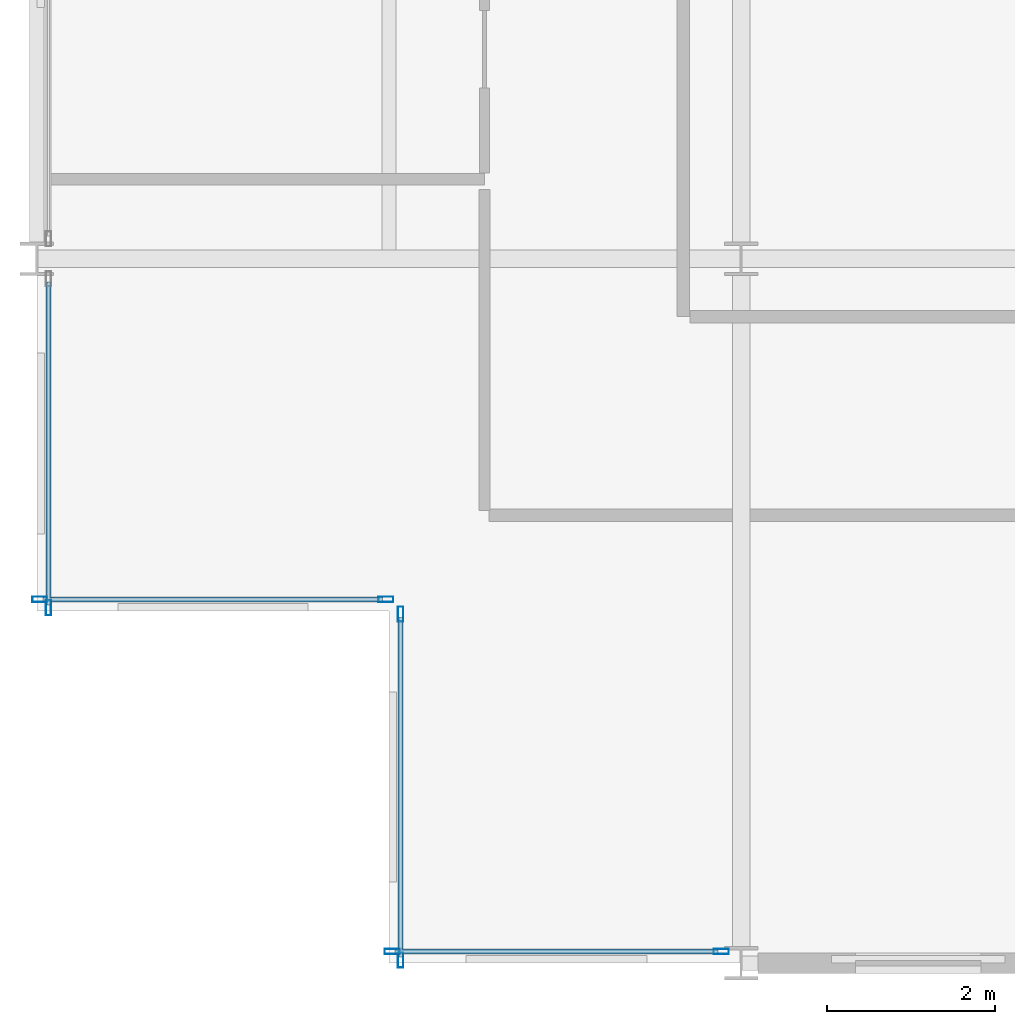
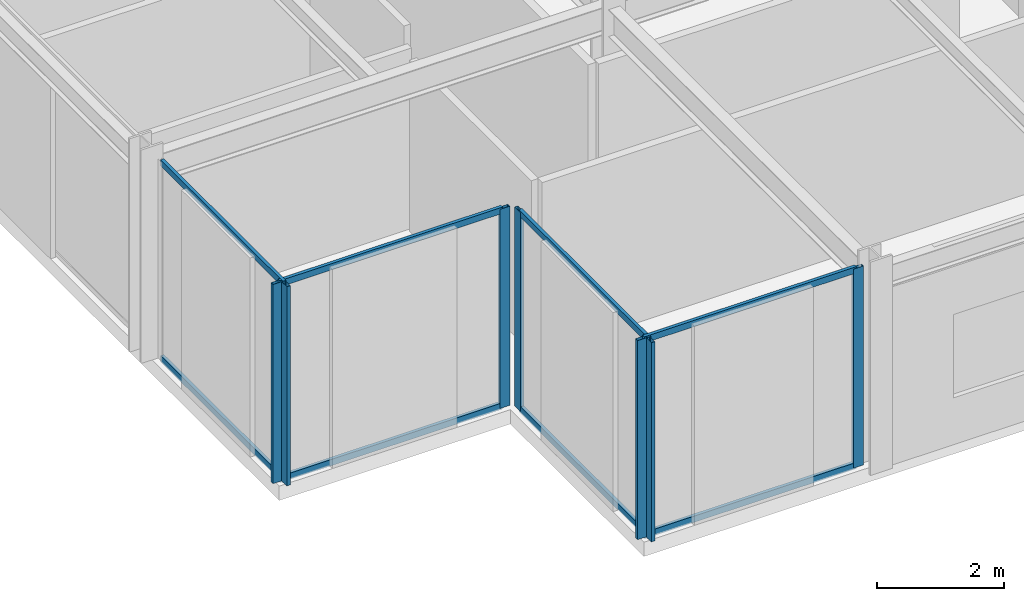
# One storey, part 2 of 29: 15 members, 4 elements without a shape of their own.
"""IFC4 building model written with IfcOpenShell, lengths in metres."""

from ifc_helpers import new_model, si_unit, direction, frame, origin, origin_2d, place, context, subcontext, project, spatial, hollow_rectangle, extrude, material, layer, layer_set, material_profile, profile_set, type_object, element, aggregate, save


model = new_model("IFC4")

# Units and contexts
model_context = context("Model", 3, precision=1e-05, world=origin(), true_north=direction((0.0, 1.0)))
body_context = subcontext(model_context, "Body", "Model", "MODEL_VIEW")
ifc_project = project(units=[si_unit("LENGTHUNIT", "METRE"), si_unit("AREAUNIT", "SQUARE_METRE"), si_unit("VOLUMEUNIT", "CUBIC_METRE"), si_unit("PLANEANGLEUNIT", "RADIAN"), si_unit("MASSUNIT", "GRAM", prefix="KILO")], contexts=[model_context])

# Site, building, storey
site_placement = place(None, origin())
site = spatial("IfcSite", under=ifc_project, at=site_placement, CompositionType="ELEMENT")
building_placement = place(site_placement, origin())
building = spatial("IfcBuilding", under=site, at=building_placement, Name="Nerrivon Quay Data Exchange", CompositionType="ELEMENT")
storey_placement = place(building_placement, frame((0.0, 0.0, 145.89990234375)))
storey = spatial("IfcBuildingStorey", under=building, at=storey_placement, Name="L34", CompositionType="ELEMENT", Elevation=145.89990234375)

# Curtain wall, members
ifc_material = material(Name="Anodised aluminium 6063-T6", Category="aluminium")
ifc_layer = layer(ifc_material, 0.2099609375)
ifc_layer_set = layer_set([ifc_layer], Name="Anodised aluminium 6063-T6")
curtain_wall_type = type_object("IfcCurtainWallType", Name="CW-SYS-02", PredefinedType="NOTDEFINED", material=ifc_layer_set)
curtain_wall_1_placement = place(storey_placement, origin())
curtain_wall_1 = element("IfcCurtainWall", 1, at=curtain_wall_1_placement, inside=storey, type_object=curtain_wall_type, Name="L34 Unitised Curtain Wall 8", PredefinedType="NOTDEFINED")
ifc_material_profile_1 = material_profile(ifc_material, hollow_rectangle(XDim=0.06494140625, YDim=0.179931640625, WallThickness=0.00341796875, at=origin_2d()), Name="ALU-MULL-180x65")
ifc_profile_set_1 = profile_set([ifc_material_profile_1], Name="Anodised aluminium 6063-T6")
member_type_1 = type_object("IfcMemberType", Name="CWM-180x65", PredefinedType="MULLION", material=ifc_profile_set_1)
member_1_placement = place(storey_placement, frame((8.16259765625, 0.139892578125, 0.0), z_axis=(0.0, 0.0, 1.0), x_axis=(0.0, -1.0, 0.0)))
member_1 = element("IfcMember", 2, at=member_1_placement, type_object=member_type_1, Name="CW02 mullion 1", PredefinedType="MULLION", context=body_context, shape_type="SweptSolid", body=[
    extrude(hollow_rectangle(XDim=0.06494140625, YDim=0.179931640625, WallThickness=0.00341796875, at=origin_2d()), origin(), (0.0, 0.0, 1.0), 3.8251953125),
])
member_2_placement = place(storey_placement, frame((4.237548828125, 0.139892578125, 0.0), z_axis=(0.0, 0.0, 1.0), x_axis=(0.0, -1.0, 0.0)))
member_2 = element("IfcMember", 3, at=member_2_placement, type_object=member_type_1, Name="CW02 mullion 2", PredefinedType="MULLION", context=body_context, shape_type="SweptSolid", body=[
    extrude(hollow_rectangle(XDim=0.06494140625, YDim=0.179931640625, WallThickness=0.00341796875, at=origin_2d()), origin(), (0.0, 0.0, 1.0), 3.8251953125),
])

curtain_wall_2_placement = place(storey_placement, origin())
curtain_wall_2 = element("IfcCurtainWall", 4, at=curtain_wall_2_placement, inside=storey, type_object=curtain_wall_type, Name="L34 Unitised Curtain Wall 9", PredefinedType="NOTDEFINED")
member_3_placement = place(storey_placement, frame((4.340087890625, 0.03759765625, 0.0), z_axis=(0.0, 0.0, 1.0), x_axis=(-1.0, 0.0, 0.0)))
member_3 = element("IfcMember", 5, at=member_3_placement, type_object=member_type_1, Name="CW02 mullion 1", PredefinedType="MULLION", context=body_context, shape_type="SweptSolid", body=[
    extrude(hollow_rectangle(XDim=0.06494140625, YDim=0.179931640625, WallThickness=0.00341796875, at=origin_2d()), origin(), (0.0, 0.0, 1.0), 3.8251953125),
])
member_4_placement = place(storey_placement, frame((4.340087890625, 4.16259765625, 0.0), z_axis=(0.0, 0.0, 1.0), x_axis=(-1.0, 0.0, 0.0)))
member_4 = element("IfcMember", 6, at=member_4_placement, type_object=member_type_1, Name="CW02 mullion 2", PredefinedType="MULLION", context=body_context, shape_type="SweptSolid", body=[
    extrude(hollow_rectangle(XDim=0.06494140625, YDim=0.179931640625, WallThickness=0.00341796875, at=origin_2d()), origin(), (0.0, 0.0, 1.0), 3.8251953125),
])

curtain_wall_3_placement = place(storey_placement, origin())
curtain_wall_3 = element("IfcCurtainWall", 7, at=curtain_wall_3_placement, inside=storey, type_object=curtain_wall_type, Name="L34 Unitised Curtain Wall 10", PredefinedType="NOTDEFINED")
member_5_placement = place(storey_placement, frame((4.16259765625, 4.340087890625, 0.0), z_axis=(0.0, 0.0, 1.0), x_axis=(0.0, -1.0, 0.0)))
member_5 = element("IfcMember", 8, at=member_5_placement, type_object=member_type_1, Name="CW02 mullion 1", PredefinedType="MULLION", context=body_context, shape_type="SweptSolid", body=[
    extrude(hollow_rectangle(XDim=0.06494140625, YDim=0.179931640625, WallThickness=0.00341796875, at=origin_2d()), origin(), (0.0, 0.0, 1.0), 3.8251953125),
])
member_6_placement = place(storey_placement, frame((0.03759765625, 4.340087890625, 0.0), z_axis=(0.0, 0.0, 1.0), x_axis=(0.0, -1.0, 0.0)))
member_6 = element("IfcMember", 9, at=member_6_placement, type_object=member_type_1, Name="CW02 mullion 2", PredefinedType="MULLION", context=body_context, shape_type="SweptSolid", body=[
    extrude(hollow_rectangle(XDim=0.06494140625, YDim=0.179931640625, WallThickness=0.00341796875, at=origin_2d()), origin(), (0.0, 0.0, 1.0), 3.8251953125),
])

# Curtain wall, member
curtain_wall_4_placement = place(storey_placement, origin())
curtain_wall_4 = element("IfcCurtainWall", 10, at=curtain_wall_4_placement, inside=storey, type_object=curtain_wall_type, Name="L34 Unitised Curtain Wall 11", PredefinedType="NOTDEFINED")
member_7_placement = place(storey_placement, frame((0.139892578125, 4.237548828125, 0.0), z_axis=(0.0, 0.0, 1.0), x_axis=(-1.0, 0.0, 0.0)))
member_7 = element("IfcMember", 11, at=member_7_placement, type_object=member_type_1, Name="CW02 mullion 1", PredefinedType="MULLION", context=body_context, shape_type="SweptSolid", body=[
    extrude(hollow_rectangle(XDim=0.06494140625, YDim=0.179931640625, WallThickness=0.00341796875, at=origin_2d()), origin(), (0.0, 0.0, 1.0), 3.8251953125),
])

# Member
ifc_material_profile_2 = material_profile(ifc_material, hollow_rectangle(XDim=0.06005859375, YDim=0.1201171875, WallThickness=0.003173828125, at=origin_2d()), Name="ALU-TRAN-120x60")
ifc_profile_set_2 = profile_set([ifc_material_profile_2], Name="Anodised aluminium 6063-T6")
member_type_2 = type_object("IfcMemberType", Name="CWT-120x60", PredefinedType="USERDEFINED", material=ifc_profile_set_2)
member_8_placement = place(storey_placement, frame((8.125, 0.139892578125, 0.03271484375), z_axis=(-1.0, 0.0, 0.0), x_axis=(0.0, -1.0, 0.0)))
member_8 = element("IfcMember", 12, at=member_8_placement, type_object=member_type_2, Name="CW02 transom 1.1", ObjectType="TRANSOM", PredefinedType="USERDEFINED", context=body_context, shape_type="SweptSolid", body=[
    extrude(hollow_rectangle(XDim=0.06005859375, YDim=0.1201171875, WallThickness=0.003173828125, at=origin_2d()), origin(), (0.0, 0.0, 1.0), 3.85009765625),
])

member_9_placement = place(storey_placement, frame((8.125, 0.139892578125, 3.79248046875), z_axis=(-1.0, 0.0, 0.0), x_axis=(0.0, -1.0, 0.0)))
member_9 = element("IfcMember", 13, at=member_9_placement, type_object=member_type_2, Name="CW02 transom 1.2", ObjectType="TRANSOM", PredefinedType="USERDEFINED", context=body_context, shape_type="SweptSolid", body=[
    extrude(hollow_rectangle(XDim=0.06005859375, YDim=0.1201171875, WallThickness=0.003173828125, at=origin_2d()), origin(), (0.0, 0.0, 1.0), 3.85009765625),
])

aggregate(curtain_wall_1, [member_1, member_2, member_8, member_9])

member_10_placement = place(storey_placement, frame((4.340087890625, 0.074951171875, 0.03271484375), z_axis=(0.0, 1.0, 0.0), x_axis=(-1.0, 0.0, 0.0)))
member_10 = element("IfcMember", 14, at=member_10_placement, type_object=member_type_2, Name="CW02 transom 1.1", ObjectType="TRANSOM", PredefinedType="USERDEFINED", context=body_context, shape_type="SweptSolid", body=[
    extrude(hollow_rectangle(XDim=0.06005859375, YDim=0.1201171875, WallThickness=0.003173828125, at=origin_2d()), origin(), (0.0, 0.0, 1.0), 4.050048828125),
])

member_11_placement = place(storey_placement, frame((4.340087890625, 0.074951171875, 3.79248046875), z_axis=(0.0, 1.0, 0.0), x_axis=(-1.0, 0.0, 0.0)))
member_11 = element("IfcMember", 15, at=member_11_placement, type_object=member_type_2, Name="CW02 transom 1.2", ObjectType="TRANSOM", PredefinedType="USERDEFINED", context=body_context, shape_type="SweptSolid", body=[
    extrude(hollow_rectangle(XDim=0.06005859375, YDim=0.1201171875, WallThickness=0.003173828125, at=origin_2d()), origin(), (0.0, 0.0, 1.0), 4.050048828125),
])

aggregate(curtain_wall_2, [member_3, member_4, member_10, member_11])

member_12_placement = place(storey_placement, frame((4.125, 4.340087890625, 0.03271484375), z_axis=(-1.0, 0.0, 0.0), x_axis=(0.0, -1.0, 0.0)))
member_12 = element("IfcMember", 16, at=member_12_placement, type_object=member_type_2, Name="CW02 transom 1.1", ObjectType="TRANSOM", PredefinedType="USERDEFINED", context=body_context, shape_type="SweptSolid", body=[
    extrude(hollow_rectangle(XDim=0.06005859375, YDim=0.1201171875, WallThickness=0.003173828125, at=origin_2d()), origin(), (0.0, 0.0, 1.0), 4.050048828125),
])

member_13_placement = place(storey_placement, frame((4.125, 4.340087890625, 3.79248046875), z_axis=(-1.0, 0.0, 0.0), x_axis=(0.0, -1.0, 0.0)))
member_13 = element("IfcMember", 17, at=member_13_placement, type_object=member_type_2, Name="CW02 transom 1.2", ObjectType="TRANSOM", PredefinedType="USERDEFINED", context=body_context, shape_type="SweptSolid", body=[
    extrude(hollow_rectangle(XDim=0.06005859375, YDim=0.1201171875, WallThickness=0.003173828125, at=origin_2d()), origin(), (0.0, 0.0, 1.0), 4.050048828125),
])

aggregate(curtain_wall_3, [member_5, member_6, member_12, member_13])

member_14_placement = place(storey_placement, frame((0.139892578125, 4.27490234375, 0.03271484375), z_axis=(0.0, 1.0, 0.0), x_axis=(-1.0, 0.0, 0.0)))
member_14 = element("IfcMember", 18, at=member_14_placement, type_object=member_type_2, Name="CW02 transom 1.1", ObjectType="TRANSOM", PredefinedType="USERDEFINED", context=body_context, shape_type="SweptSolid", body=[
    extrude(hollow_rectangle(XDim=0.06005859375, YDim=0.1201171875, WallThickness=0.003173828125, at=origin_2d()), origin(), (0.0, 0.0, 1.0), 3.85009765625),
])

member_15_placement = place(storey_placement, frame((0.139892578125, 4.27490234375, 3.79248046875), z_axis=(0.0, 1.0, 0.0), x_axis=(-1.0, 0.0, 0.0)))
member_15 = element("IfcMember", 19, at=member_15_placement, type_object=member_type_2, Name="CW02 transom 1.2", ObjectType="TRANSOM", PredefinedType="USERDEFINED", context=body_context, shape_type="SweptSolid", body=[
    extrude(hollow_rectangle(XDim=0.06005859375, YDim=0.1201171875, WallThickness=0.003173828125, at=origin_2d()), origin(), (0.0, 0.0, 1.0), 3.85009765625),
])

aggregate(curtain_wall_4, [member_7, member_14, member_15])

save(model, "model.ifc")
